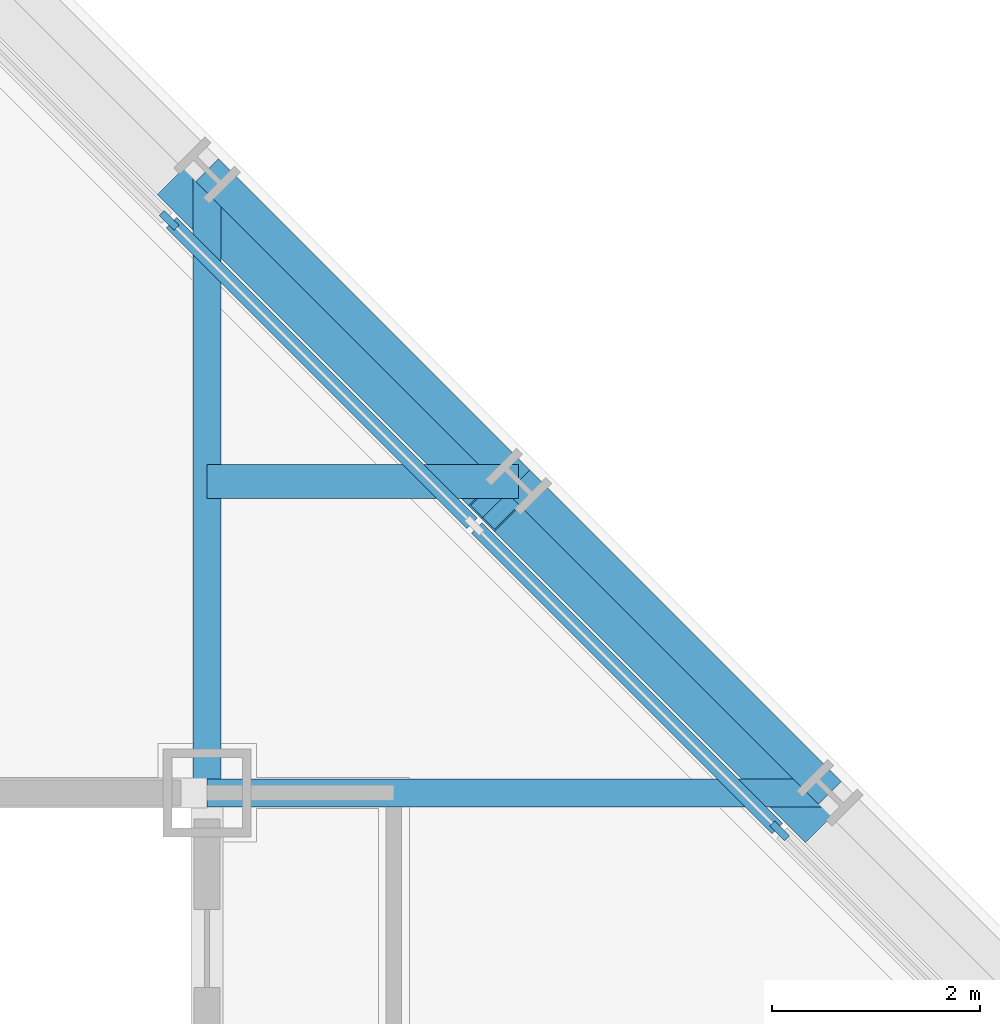
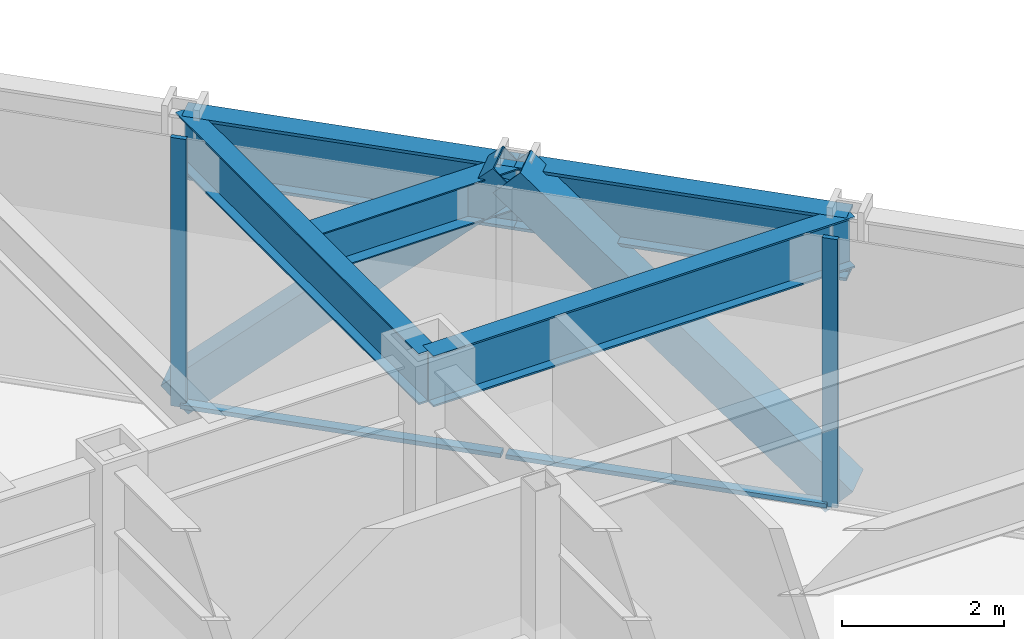
# One storey, part 8 of 16: 6 members, 5 beams, 1 element without a shape of its own.
"""IFC4 building model written with IfcOpenShell, lengths in metres."""

from ifc_helpers import new_model, si_unit, direction, frame, origin, origin_2d, place, context, subcontext, project, spatial, rectangle, hollow_rectangle, i_section, extrude, material, layer, layer_set, material_profile, profile_set, type_object, element, aggregate, save


model = new_model("IFC4")

# Units and contexts
model_context = context("Model", 3, precision=1e-05, world=origin(), true_north=direction((0.0, 1.0)))
body_context = subcontext(model_context, "Body", "Model", "MODEL_VIEW")
ifc_project = project(units=[si_unit("LENGTHUNIT", "METRE"), si_unit("AREAUNIT", "SQUARE_METRE"), si_unit("VOLUMEUNIT", "CUBIC_METRE"), si_unit("PLANEANGLEUNIT", "RADIAN"), si_unit("MASSUNIT", "GRAM", prefix="KILO")], contexts=[model_context])

# Site, building, storey
site_placement = place(None, origin())
site = spatial("IfcSite", under=ifc_project, at=site_placement, CompositionType="ELEMENT")
building_placement = place(site_placement, origin())
building = spatial("IfcBuilding", under=site, at=building_placement, Name="Chuquiago Exchange Tower", CompositionType="ELEMENT")
storey_placement = place(building_placement, frame((0.0, 0.0, 161.39990234375)))
storey = spatial("IfcBuildingStorey", under=building, at=storey_placement, Name="L35", CompositionType="ELEMENT", Elevation=161.39990234375)

# Beam
ifc_material_1 = material(Name="Steel ASTM A992", Category="steel")
ifc_material_profile_1 = material_profile(ifc_material_1, i_section(OverallWidth=0.3251953125, OverallDepth=0.612060546875, WebThickness=0.0126953125, FlangeThickness=0.01904296875, at=origin_2d()), Name="W24X104")
ifc_profile_set_1 = profile_set([ifc_material_profile_1], Name="Steel ASTM A992")
beam_type_1 = type_object("IfcBeamType", Name="B2 W24X104", PredefinedType="BEAM", material=ifc_profile_set_1)
beam_placement = place(storey_placement, frame((33.0, 36.0, 3.73388671875), z_axis=(1.0, 0.0, 0.0), x_axis=(0.0, 1.0, 0.0)))
element("IfcBeam", 1, at=beam_placement, inside=storey, type_object=beam_type_1, Name="FB-L36-corner-33_36-36_36-0", PredefinedType="BEAM", context=body_context, shape_type="SweptSolid", body=[
    extrude(i_section(OverallWidth=0.3251953125, OverallDepth=0.612060546875, WebThickness=0.0126953125, FlangeThickness=0.01904296875, at=origin_2d()), origin(), (0.0, 0.0, 1.0), 3.0),
])

# Curtain wall, members
ifc_material_2 = material(Name="Aluminium curtain wall system", Category="aluminium")
ifc_layer = layer(ifc_material_2, 0.199951171875)
ifc_layer_set = layer_set([ifc_layer], Name="CW3 facet curtain wall")
curtain_wall_type = type_object("IfcCurtainWallType", Name="CW3 facet curtain wall", PredefinedType="NOTDEFINED", material=ifc_layer_set)
curtain_wall_placement = place(storey_placement, origin())
curtain_wall = element("IfcCurtainWall", 2, at=curtain_wall_placement, inside=storey, type_object=curtain_wall_type, Name="CW3 curtain wall L35", PredefinedType="NOTDEFINED")
ifc_material_3 = material(Name="Aluminium mullion, pale anodised", Category="aluminium")
ifc_material_profile_2 = material_profile(ifc_material_3, rectangle(XDim=0.06494140625, YDim=0.199951171875, at=origin_2d()), Name="AL 65x200")
ifc_profile_set_2 = profile_set([ifc_material_profile_2], Name="Aluminium mullion, pale anodised")
member_type_1 = type_object("IfcMemberType", Name="CW3-M mullion 65x200", PredefinedType="MULLION", material=ifc_profile_set_2)
member_1_placement = place(storey_placement, frame((38.51708984375, 32.63427734375, 0.0), z_axis=(0.0, 0.0, 1.0), x_axis=(-0.707106781187, -0.707106781187, 0.0)))
member_1 = element("IfcMember", 3, at=member_1_placement, type_object=member_type_1, Name="CW3 mullion 3", PredefinedType="MULLION", context=body_context, shape_type="SweptSolid", body=[
    extrude(rectangle(XDim=0.06494140625, YDim=0.199951171875, at=origin_2d()), origin(), (0.0, 0.0, 1.0), 4.0400390625),
])
member_2_placement = place(storey_placement, frame((32.63427734375, 38.51708984375, 0.0), z_axis=(0.0, 0.0, 1.0), x_axis=(-0.707106781187, -0.707106781187, 0.0)))
member_2 = element("IfcMember", 4, at=member_2_placement, type_object=member_type_1, Name="CW3 mullion 5", PredefinedType="MULLION", context=body_context, shape_type="SweptSolid", body=[
    extrude(rectangle(XDim=0.06494140625, YDim=0.199951171875, at=origin_2d()), origin(), (0.0, 0.0, 1.0), 4.0400390625),
])
ifc_material_4 = material(Name="Aluminium transom, pale anodised", Category="aluminium")
ifc_material_profile_3 = material_profile(ifc_material_4, rectangle(XDim=0.139892578125, YDim=0.06494140625, at=origin_2d()), Name="AL 140x65")
ifc_profile_set_3 = profile_set([ifc_material_profile_3], Name="Aluminium transom, pale anodised")
member_type_2 = type_object("IfcMemberType", Name="CW3-T transom 65x140", PredefinedType="MULLION", material=ifc_profile_set_3)
member_3_placement = place(storey_placement, frame((38.494140625, 32.6572265625, 0.03271484375), z_axis=(-0.707106781187, 0.707106781187, 0.0), x_axis=(-0.707106781187, -0.707106781187, 0.0)))
member_3 = element("IfcMember", 5, at=member_3_placement, type_object=member_type_2, Name="CW3 transom 3.1", PredefinedType="MULLION", context=body_context, shape_type="SweptSolid", body=[
    extrude(rectangle(XDim=0.139892578125, YDim=0.06494140625, at=origin_2d()), origin(), (0.0, 0.0, 1.0), 4.094970703125),
])
member_4_placement = place(storey_placement, frame((35.552734375, 35.5986328125, 0.03271484375), z_axis=(-0.707106781187, 0.707106781187, 0.0), x_axis=(-0.707106781187, -0.707106781187, 0.0)))
member_4 = element("IfcMember", 6, at=member_4_placement, type_object=member_type_2, Name="CW3 transom 4.1", PredefinedType="MULLION", context=body_context, shape_type="SweptSolid", body=[
    extrude(rectangle(XDim=0.139892578125, YDim=0.06494140625, at=origin_2d()), origin(), (0.0, 0.0, 1.0), 4.094970703125),
])
aggregate(curtain_wall, [member_1, member_2, member_3, member_4])

# Beams
ifc_material_5 = material(Name="Steel ASTM A992", Category="steel")
ifc_material_profile_4 = material_profile(ifc_material_5, i_section(OverallWidth=0.2666015625, OverallDepth=0.76953125, WebThickness=0.015625, FlangeThickness=0.025390625, at=origin_2d()), Name="W30X132")
ifc_profile_set_4 = profile_set([ifc_material_profile_4], Name="Steel ASTM A992")
beam_type_2 = type_object("IfcBeamType", Name="G1 W30X132", PredefinedType="BEAM", material=ifc_profile_set_4)
for number, where, z_axis, x_axis, name in (
    (7, (33.0, 33.0, 3.6552734375), (0.0, 1.0, 0.0), (-1.0, 0.0, 0.0), "FB-L36-girder-33_33-33_39-0"),
    (8, (33.0, 33.0, 3.6552734375), (1.0, 0.0, 0.0), (0.0, 1.0, 0.0), "FB-L36-girder-33_33-39_33-0"),
):
    element("IfcBeam", number, at=place(storey_placement, frame(where, z_axis=z_axis, x_axis=x_axis)), inside=storey, type_object=beam_type_2, Name=name, PredefinedType="BEAM", context=body_context, shape_type="SweptSolid", body=[
        extrude(i_section(OverallWidth=0.2666015625, OverallDepth=0.76953125, WebThickness=0.015625, FlangeThickness=0.025390625, at=origin_2d()), origin(), (0.0, 0.0, 1.0), 6.0),
    ])

# Members
ifc_material_6 = material(Name="Steel ASTM A500 Grade C", Category="steel")
ifc_material_profile_5 = material_profile(ifc_material_6, hollow_rectangle(XDim=0.508056640625, YDim=0.508056640625, WallThickness=0.017822265625, at=origin_2d()), Name="HSS20X20X3/4")
ifc_profile_set_5 = profile_set([ifc_material_profile_5], Name="Steel ASTM A500 Grade C")
member_type_3 = type_object("IfcMemberType", Name="LB1 HSS20X20X3/4", PredefinedType="BRACE", material=ifc_profile_set_5)
for number, where, z_axis, x_axis, name in (
    (9, (38.822509765625, 32.822509765625, 0.0), (-0.512077265487, 0.512077265487, 0.689604051861), (-0.707106781187, -0.707106781187, 0.0), "LB-L35-39_33-36_36"),
    (10, (32.822509765625, 38.822509765625, 0.0), (0.512077265487, -0.512077265487, 0.689604051861), (0.707106781187, 0.707106781187, 0.0), "LB-L35-36_36-33_39"),
):
    element("IfcMember", number, at=place(storey_placement, frame(where, z_axis=z_axis, x_axis=x_axis)), inside=storey, type_object=member_type_3, Name=name, PredefinedType="BRACE", context=body_context, shape_type="SweptSolid", body=[
        extrude(hollow_rectangle(XDim=0.508056640625, YDim=0.508056640625, WallThickness=0.017822265625, at=origin_2d()), origin(), (0.0, 0.0, 1.0), 5.8583984375),
    ])

# Beams
ifc_material_7 = material(Name="Steel ASTM A992", Category="steel")
ifc_material_profile_6 = material_profile(ifc_material_7, i_section(OverallWidth=0.309814453125, OverallDepth=0.949951171875, WebThickness=0.0244140625, FlangeThickness=0.0439453125, at=origin_2d()), Name="W36X256")
ifc_profile_set_6 = profile_set([ifc_material_profile_6], Name="Steel ASTM A992")
beam_type_3 = type_object("IfcBeamType", Name="SP2 W36X256", PredefinedType="SPANDREL", material=ifc_profile_set_6)
for number, where, z_axis, x_axis, name in (
    (11, (39.0, 33.0, 3.565185546875), (-0.707106781187, 0.707106781187, 0.0), (-0.707106781187, -0.707106781187, 0.0), "SPB-L36-39_33-36_36"),
    (12, (36.0, 36.0, 3.565185546875), (-0.707106781187, 0.707106781187, 0.0), (-0.707106781187, -0.707106781187, 0.0), "SPB-L36-36_36-33_39"),
):
    element("IfcBeam", number, at=place(storey_placement, frame(where, z_axis=z_axis, x_axis=x_axis)), inside=storey, type_object=beam_type_3, Name=name, PredefinedType="SPANDREL", context=body_context, shape_type="SweptSolid", body=[
        extrude(i_section(OverallWidth=0.309814453125, OverallDepth=0.949951171875, WebThickness=0.0244140625, FlangeThickness=0.0439453125, at=origin_2d()), origin(), (0.0, 0.0, 1.0), 4.24267578125),
    ])

save(model, "model.ifc")
